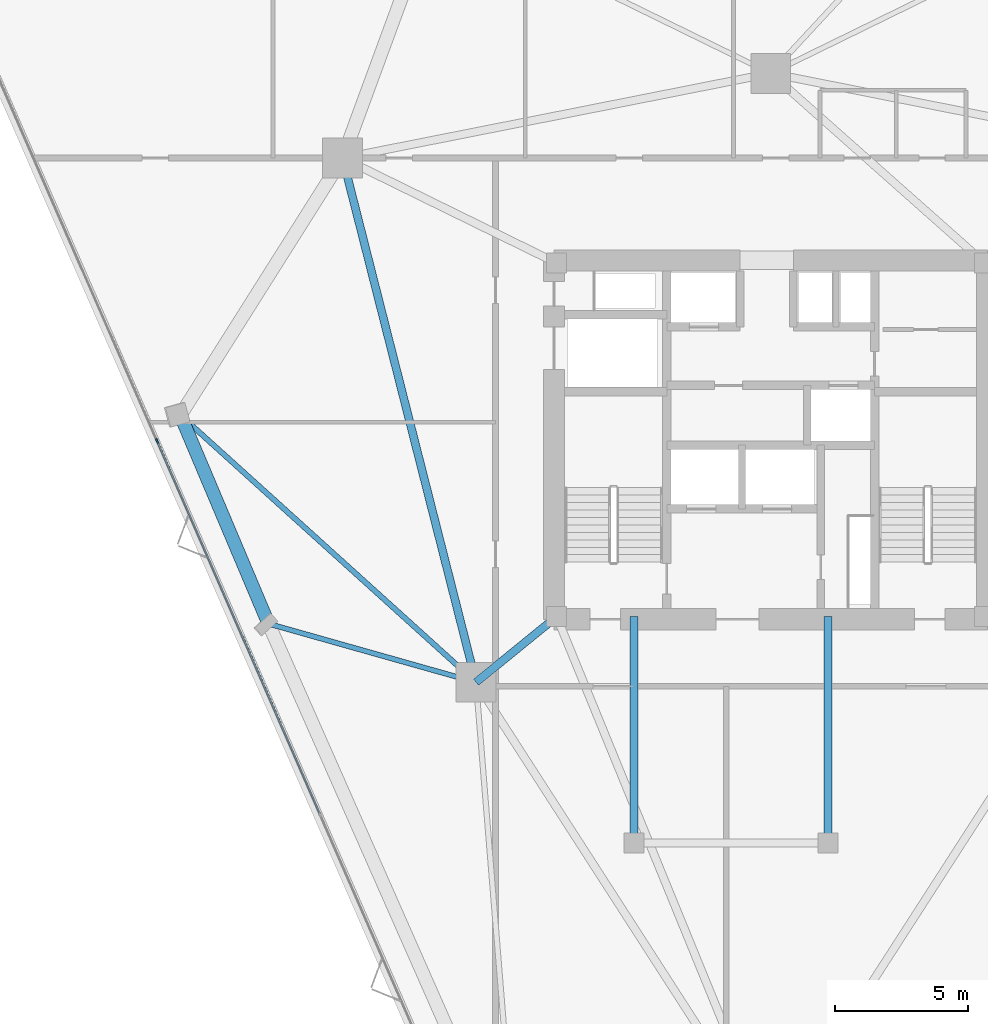
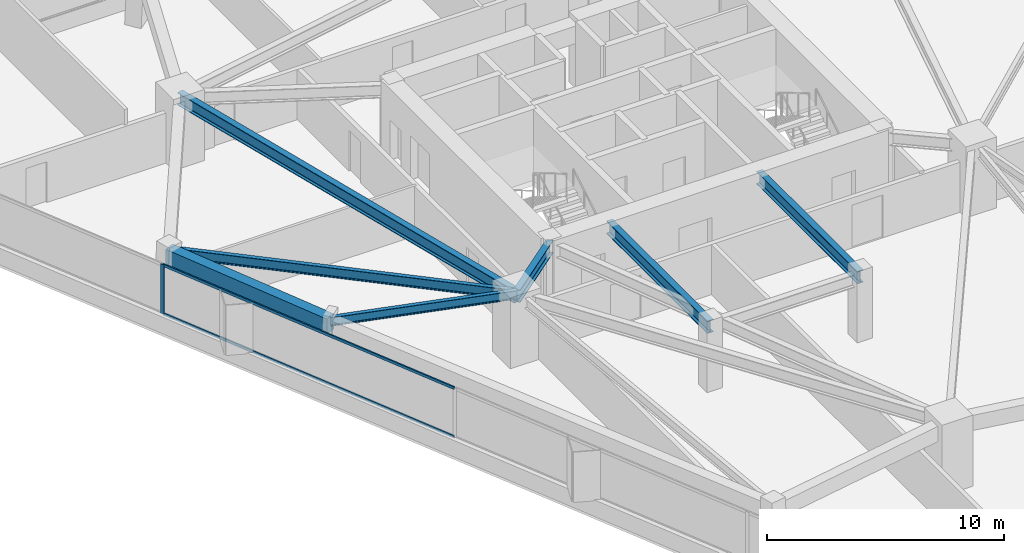
# One storey, part 4 of 15: 7 beams, 3 members, 1 element without a shape of its own.
"""IFC4 building model written with IfcOpenShell, lengths in metres."""

from ifc_helpers import new_model, si_unit, direction, frame, origin, origin_2d, place, context, subcontext, project, spatial, rectangle, i_section, extrude, material, layer, layer_set, material_profile, profile_set, type_object, element, aggregate, save


model = new_model("IFC4")

# Units and contexts
model_context = context("Model", 3, precision=1e-05, world=origin(), true_north=direction((0.0, 1.0)))
body_context = subcontext(model_context, "Body", "Model", "MODEL_VIEW")
ifc_project = project(units=[si_unit("LENGTHUNIT", "METRE"), si_unit("AREAUNIT", "SQUARE_METRE"), si_unit("VOLUMEUNIT", "CUBIC_METRE"), si_unit("PLANEANGLEUNIT", "RADIAN"), si_unit("MASSUNIT", "GRAM", prefix="KILO")], contexts=[model_context])

# Site, building, storey
site_placement = place(None, origin())
site = spatial("IfcSite", under=ifc_project, at=site_placement, CompositionType="ELEMENT")
building_placement = place(site_placement, origin())
building = spatial("IfcBuilding", under=site, at=building_placement, Name="Talyreon Biosciences Tower", CompositionType="ELEMENT")
storey_placement = place(building_placement, frame((0.0, 0.0, 127.199951171875)))
storey = spatial("IfcBuildingStorey", under=building, at=storey_placement, Name="L33", CompositionType="ELEMENT", Elevation=127.199951171875)

# Curtain wall, members
ifc_material_1 = material(Name="Thermally broken aluminium and low-E glazing", Category="aluminium")
ifc_layer = layer(ifc_material_1, 0.18505859375)
ifc_layer_set = layer_set([ifc_layer], Name="Thermally broken aluminium and low-E glazing")
curtain_wall_type = type_object("IfcCurtainWallType", Name="CurtainWall_Zone3Bioprocess", PredefinedType="NOTDEFINED", material=ifc_layer_set)
curtain_wall_placement = place(storey_placement, origin())
curtain_wall = element("IfcCurtainWall", 1, at=curtain_wall_placement, inside=storey, type_object=curtain_wall_type, Name="L33 Unitised Curtain Wall FCW-L33-00", PredefinedType="NOTDEFINED")
ifc_material_2 = material(Name="Anodised thermally broken aluminium", Category="aluminium")
ifc_material_profile_1 = material_profile(ifc_material_2, rectangle(XDim=0.06494140625, YDim=0.179931640625, at=origin_2d()), Name="ALUM MULLION 65x180")
ifc_profile_set_1 = profile_set([ifc_material_profile_1], Name="Anodised thermally broken aluminium")
member_type_1 = type_object("IfcMemberType", Name="CWMullion_65x180", PredefinedType="MULLION", material=ifc_profile_set_1)
member_1_placement = place(storey_placement, frame((42.915283203125, 67.959716796875, 0.81005859375), z_axis=(0.0, 0.0, 1.0), x_axis=(-0.916489607057, -0.400058495919, 0.0)))
member_1 = element("IfcMember", 2, at=member_1_placement, type_object=member_type_1, Name="CW4 mullion 4", PredefinedType="MULLION", context=body_context, shape_type="SweptSolid", body=[
    extrude(rectangle(XDim=0.06494140625, YDim=0.179931640625, at=origin_2d()), origin(), (0.0, 0.0, 1.0), 2.56494140625),
])
ifc_material_profile_2 = material_profile(ifc_material_2, rectangle(XDim=0.06494140625, YDim=0.139892578125, at=origin_2d()), Name="ALUM TRANSOM 65x140")
ifc_profile_set_2 = profile_set([ifc_material_profile_2], Name="Anodised thermally broken aluminium")
member_type_2 = type_object("IfcMemberType", Name="CWTransom_65x140", PredefinedType="USERDEFINED", material=ifc_profile_set_2)
member_2_placement = place(storey_placement, frame((49.032958984375, 53.944580078125, 0.842529296875), z_axis=(-0.400056615307, 0.916490427964, 0.0), x_axis=(-0.916490427964, -0.400056615307, 0.0)))
member_2 = element("IfcMember", 3, at=member_2_placement, type_object=member_type_2, Name="CW4 transom 3.1", ObjectType="TRANSOM", PredefinedType="USERDEFINED", context=body_context, shape_type="SweptSolid", body=[
    extrude(rectangle(XDim=0.06494140625, YDim=0.139892578125, at=origin_2d()), origin(), (0.0, 0.0, 1.0), 15.259765625),
])
member_3_placement = place(storey_placement, frame((49.032958984375, 53.944580078125, 3.342529296875), z_axis=(-0.400056615307, 0.916490427964, 0.0), x_axis=(-0.916490427964, -0.400056615307, 0.0)))
member_3 = element("IfcMember", 4, at=member_3_placement, type_object=member_type_2, Name="CW4 transom 3.2", ObjectType="TRANSOM", PredefinedType="USERDEFINED", context=body_context, shape_type="SweptSolid", body=[
    extrude(rectangle(XDim=0.06494140625, YDim=0.139892578125, at=origin_2d()), origin(), (0.0, 0.0, 1.0), 15.259765625),
])
aggregate(curtain_wall, [member_1, member_2, member_3])

# Beams
ifc_material_3 = material(Name="Precast concrete C45/55", Category="concrete")
ifc_material_profile_3 = material_profile(ifc_material_3, rectangle(XDim=0.5, YDim=0.780029296875, at=origin_2d()), Name="RCB 500x780")
ifc_profile_set_3 = profile_set([ifc_material_profile_3], Name="Precast concrete C45/55")
beam_type_1 = type_object("IfcBeamType", Name="ExpressedSpandrel_500x780", PredefinedType="SPANDREL", material=ifc_profile_set_3)
beam_1_placement = place(storey_placement, frame((43.793701171875, 68.928955078125, 2.985107421875), z_axis=(0.389216368562, -0.921146361033, 0.0), x_axis=(0.921146361033, 0.389216368562, 0.0)))
element("IfcBeam", 5, at=beam_1_placement, inside=storey, type_object=beam_type_1, Name="L33 Expressed Horizontal Concrete Spandrel 10", PredefinedType="SPANDREL", context=body_context, shape_type="SweptSolid", body=[
    extrude(rectangle(XDim=0.5, YDim=0.780029296875, at=origin_2d()), origin(), (0.0, 0.0, 1.0), 8.517578125),
])
ifc_material_4 = material(Name="Steel SM355", Category="steel")
ifc_material_profile_4 = material_profile(ifc_material_4, i_section(OverallWidth=0.300048828125, OverallDepth=0.64990234375, WebThickness=0.01611328125, FlangeThickness=0.031005859375, FilletRadius=0.027099609375, at=origin_2d()), Name="HE650B")
ifc_profile_set_4 = profile_set([ifc_material_profile_4], Name="Steel SM355")
beam_type_2 = type_object("IfcBeamType", Name="SteelBeam_HE650B", PredefinedType="BEAM", material=ifc_profile_set_4)
beam_2_placement = place(storey_placement, frame((49.897705078125, 78.5986328125, 3.050048828125), z_axis=(0.246537082299, -0.969133358755, 0.0), x_axis=(0.969133358755, 0.246537082299, 0.0)))
element("IfcBeam", 6, at=beam_2_placement, inside=storey, type_object=beam_type_2, Name="L33 Mega-Ring Girder 5", PredefinedType="BEAM", context=body_context, shape_type="SweptSolid", body=[
    extrude(i_section(OverallWidth=0.300048828125, OverallDepth=0.64990234375, WebThickness=0.01611328125, FlangeThickness=0.031005859375, FilletRadius=0.027099609375, at=origin_2d()), origin(), (0.0, 0.0, 1.0), 20.34619140625),
])
beam_3_placement = place(storey_placement, frame((57.949951171875, 61.35009765625, 3.050048828125), z_axis=(-0.775755154013, -0.631034025249, 0.0), x_axis=(0.631034025249, -0.775755154013, 0.0)))
element("IfcBeam", 7, at=beam_3_placement, inside=storey, type_object=beam_type_2, Name="L33 Radial Primary Girder 6", PredefinedType="BEAM", context=body_context, shape_type="SweptSolid", body=[
    extrude(i_section(OverallWidth=0.300048828125, OverallDepth=0.64990234375, WebThickness=0.01611328125, FlangeThickness=0.031005859375, FilletRadius=0.027099609375, at=origin_2d()), origin(), (0.0, 0.0, 1.0), 3.913818359375),
])
for number, where, z_axis, x_axis, name in (
    (8, (60.85009765625, 52.840087890625, 3.050048828125), (0.0, 1.0, 0.0), (-1.0, 0.0, 0.0), "L33 Crown Shaft Tie Girder W"),
    (9, (68.14990234375, 52.840087890625, 3.050048828125), (0.0, 1.0, 0.0), (-1.0, 0.0, 0.0), "L33 Crown Shaft Tie Girder E"),
):
    element("IfcBeam", number, at=place(storey_placement, frame(where, z_axis=z_axis, x_axis=x_axis)), inside=storey, type_object=beam_type_2, Name=name, PredefinedType="BEAM", context=body_context, shape_type="SweptSolid", body=[
        extrude(i_section(OverallWidth=0.300048828125, OverallDepth=0.64990234375, WebThickness=0.01611328125, FlangeThickness=0.031005859375, FilletRadius=0.027099609375, at=origin_2d()), origin(), (0.0, 0.0, 1.0), 8.510009765625),
    ])
ifc_material_profile_5 = material_profile(ifc_material_4, i_section(OverallWidth=0.18994140625, OverallDepth=0.449951171875, WebThickness=0.009521484375, FlangeThickness=0.0146484375, FilletRadius=0.02099609375, at=origin_2d()), Name="IPE450")
ifc_profile_set_5 = profile_set([ifc_material_profile_5], Name="Steel SM355")
beam_type_3 = type_object("IfcBeamType", Name="SteelJoist_IPE450", PredefinedType="JOIST", material=ifc_profile_set_5)
beam_4_placement = place(storey_placement, frame((54.913818359375, 58.88037109375, 3.150146484375), z_axis=(-0.962409532297, 0.271602452388, 0.0), x_axis=(-0.271602452388, -0.962409532297, 0.0)))
element("IfcBeam", 10, at=beam_4_placement, inside=storey, type_object=beam_type_3, Name="L33 Radial Composite Floor Joist PL-SW", PredefinedType="JOIST", context=body_context, shape_type="SweptSolid", body=[
    extrude(i_section(OverallWidth=0.18994140625, OverallDepth=0.449951171875, WebThickness=0.009521484375, FlangeThickness=0.0146484375, FilletRadius=0.02099609375, at=origin_2d()), origin(), (0.0, 0.0, 1.0), 8.10986328125),
])
ifc_material_profile_6 = material_profile(ifc_material_4, i_section(OverallWidth=0.199951171875, OverallDepth=0.5, WebThickness=0.01025390625, FlangeThickness=0.01611328125, FilletRadius=0.02099609375, at=origin_2d()), Name="IPE500")
ifc_profile_set_6 = profile_set([ifc_material_profile_6], Name="Steel SM355")
beam_type_4 = type_object("IfcBeamType", Name="SteelJoist_IPE500", PredefinedType="JOIST", material=ifc_profile_set_6)
beam_5_placement = place(storey_placement, frame((54.913818359375, 58.88037109375, 3.125), z_axis=(-0.741949717759, 0.670455528964, 0.0), x_axis=(-0.670455528964, -0.741949717759, 0.0)))
element("IfcBeam", 11, at=beam_5_placement, inside=storey, type_object=beam_type_4, Name="L33 Radial Composite Floor Joist PC-SW1", PredefinedType="JOIST", context=body_context, shape_type="SweptSolid", body=[
    extrude(i_section(OverallWidth=0.199951171875, OverallDepth=0.5, WebThickness=0.01025390625, FlangeThickness=0.01611328125, FilletRadius=0.02099609375, at=origin_2d()), origin(), (0.0, 0.0, 1.0), 14.98779296875),
])

save(model, "model.ifc")
